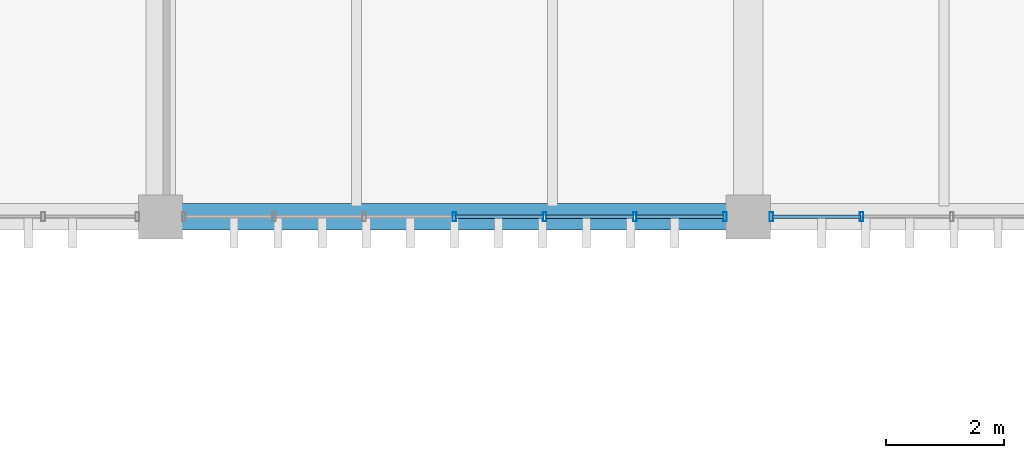
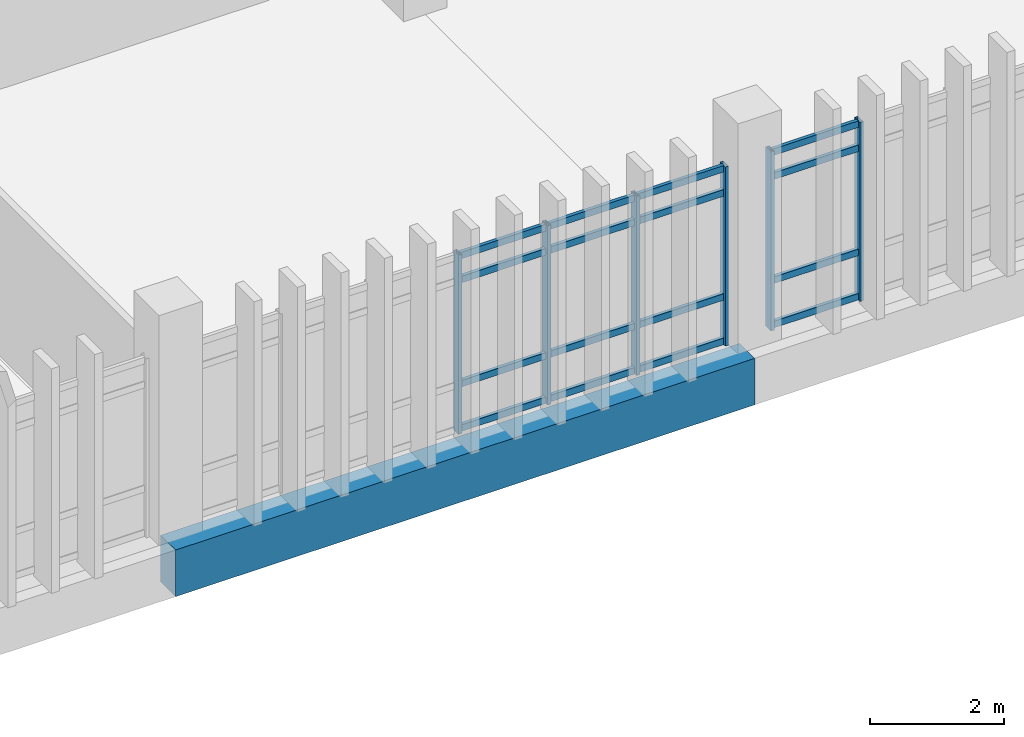
# One storey, part 80 of 161: 22 members, 1 beam, 2 elements without a shape of their own.
"""IFC4 building model written with IfcOpenShell, lengths in metres."""

from ifc_helpers import new_model, si_unit, direction, frame, origin, origin_2d, place, context, subcontext, project, spatial, rectangle, hollow_rectangle, extrude, material, layer, layer_set, material_profile, profile_set, type_object, element, aggregate, save


model = new_model("IFC4")

# Units and contexts
model_context = context("Model", 3, precision=1e-05, world=origin(), true_north=direction((0.0, 1.0)))
body_context = subcontext(model_context, "Body", "Model", "MODEL_VIEW")
ifc_project = project(units=[si_unit("LENGTHUNIT", "METRE"), si_unit("AREAUNIT", "SQUARE_METRE"), si_unit("VOLUMEUNIT", "CUBIC_METRE"), si_unit("PLANEANGLEUNIT", "RADIAN"), si_unit("MASSUNIT", "GRAM", prefix="KILO")], contexts=[model_context])

# Site, building, storey
site_placement = place(None, origin())
site = spatial("IfcSite", under=ifc_project, at=site_placement, CompositionType="ELEMENT")
building_placement = place(site_placement, origin())
building = spatial("IfcBuilding", under=site, at=building_placement, Name="Mersad Railyard Sports Hall", CompositionType="ELEMENT")
storey_placement = place(building_placement, frame((0.0, 0.0, 4.800048828125)))
storey = spatial("IfcBuildingStorey", under=building, at=storey_placement, Name="L01", CompositionType="ELEMENT", Elevation=4.800048828125)

# Curtain wall, members
ifc_material_1 = material(Name="Aluminium 6063-T6", Category="aluminium")
ifc_layer = layer(ifc_material_1, 0.159912109375)
ifc_layer_set = layer_set([ifc_layer], Name="Aluminium 6063-T6")
curtain_wall_type = type_object("IfcCurtainWallType", Name="ARC-CW-CW38", PredefinedType="USERDEFINED", material=ifc_layer_set)
curtain_wall_1_placement = place(storey_placement, origin())
curtain_wall_1 = element("IfcCurtainWall", 1, at=curtain_wall_1_placement, inside=storey, type_object=curtain_wall_type, Name="Curtain wall CW38-0108", ObjectType="CURTAIN WALL", PredefinedType="USERDEFINED")
ifc_material_profile_1 = material_profile(ifc_material_1, hollow_rectangle(XDim=0.06005859375, YDim=0.159912109375, WallThickness=0.00390625, at=origin_2d()), Name="AL MULLION 60x160x4")
ifc_profile_set_1 = profile_set([ifc_material_profile_1], Name="Aluminium 6063-T6")
member_type_1 = type_object("IfcMemberType", Name="ARC-CW-MUL01", PredefinedType="MULLION", material=ifc_profile_set_1)
member_1_placement = place(storey_placement, frame((100.60498046875, 85.0, -0.02001953125), z_axis=(0.0, 0.0, 1.0), x_axis=(1.0, 0.0, 0.0)))
member_1 = element("IfcMember", 2, at=member_1_placement, type_object=member_type_1, Name="CW38 Mullion 1", PredefinedType="MULLION", context=body_context, shape_type="SweptSolid", body=[
    extrude(hollow_rectangle(XDim=0.06005859375, YDim=0.159912109375, WallThickness=0.00390625, at=origin_2d()), origin(), (0.0, 0.0, 1.0), 3.27001953125),
])
member_2_placement = place(storey_placement, frame((99.070068359375, 85.0, -0.02001953125), z_axis=(0.0, 0.0, 1.0), x_axis=(1.0, 0.0, 0.0)))
member_2 = element("IfcMember", 3, at=member_2_placement, type_object=member_type_1, Name="CW38 Mullion 2", PredefinedType="MULLION", context=body_context, shape_type="SweptSolid", body=[
    extrude(hollow_rectangle(XDim=0.06005859375, YDim=0.159912109375, WallThickness=0.00390625, at=origin_2d()), origin(), (0.0, 0.0, 1.0), 3.27001953125),
])
member_3_placement = place(storey_placement, frame((97.534912109375, 85.0, -0.02001953125), z_axis=(0.0, 0.0, 1.0), x_axis=(1.0, 0.0, 0.0)))
member_3 = element("IfcMember", 4, at=member_3_placement, type_object=member_type_1, Name="CW38 Mullion 3", PredefinedType="MULLION", context=body_context, shape_type="SweptSolid", body=[
    extrude(hollow_rectangle(XDim=0.06005859375, YDim=0.159912109375, WallThickness=0.00390625, at=origin_2d()), origin(), (0.0, 0.0, 1.0), 3.27001953125),
])
member_4_placement = place(storey_placement, frame((96.0, 85.0, -0.02001953125), z_axis=(0.0, 0.0, 1.0), x_axis=(1.0, 0.0, 0.0)))
member_4 = element("IfcMember", 5, at=member_4_placement, type_object=member_type_1, Name="CW38 Mullion 4", PredefinedType="MULLION", context=body_context, shape_type="SweptSolid", body=[
    extrude(hollow_rectangle(XDim=0.06005859375, YDim=0.159912109375, WallThickness=0.00390625, at=origin_2d()), origin(), (0.0, 0.0, 1.0), 3.27001953125),
])

curtain_wall_2_placement = place(storey_placement, origin())
curtain_wall_2 = element("IfcCurtainWall", 6, at=curtain_wall_2_placement, inside=storey, type_object=curtain_wall_type, Name="Curtain wall CW38-0109", ObjectType="CURTAIN WALL", PredefinedType="USERDEFINED")
member_5_placement = place(storey_placement, frame((102.929931640625, 85.0, -0.02001953125), z_axis=(0.0, 0.0, 1.0), x_axis=(1.0, 0.0, 0.0)))
member_5 = element("IfcMember", 7, at=member_5_placement, type_object=member_type_1, Name="CW38 Mullion 6", PredefinedType="MULLION", context=body_context, shape_type="SweptSolid", body=[
    extrude(hollow_rectangle(XDim=0.06005859375, YDim=0.159912109375, WallThickness=0.00390625, at=origin_2d()), origin(), (0.0, 0.0, 1.0), 3.27001953125),
])
member_6_placement = place(storey_placement, frame((101.39501953125, 85.0, -0.02001953125), z_axis=(0.0, 0.0, 1.0), x_axis=(1.0, 0.0, 0.0)))
member_6 = element("IfcMember", 8, at=member_6_placement, type_object=member_type_1, Name="CW38 Mullion 7", PredefinedType="MULLION", context=body_context, shape_type="SweptSolid", body=[
    extrude(hollow_rectangle(XDim=0.06005859375, YDim=0.159912109375, WallThickness=0.00390625, at=origin_2d()), origin(), (0.0, 0.0, 1.0), 3.27001953125),
])

# Member
ifc_material_profile_2 = material_profile(ifc_material_1, hollow_rectangle(XDim=0.06005859375, YDim=0.1201171875, WallThickness=0.00390625, at=origin_2d()), Name="AL TRANSOM 60x120x4")
ifc_profile_set_2 = profile_set([ifc_material_profile_2], Name="Aluminium 6063-T6")
member_type_2 = type_object("IfcMemberType", Name="ARC-CW-TRN01", PredefinedType="USERDEFINED", material=ifc_profile_set_2)
member_7_placement = place(storey_placement, frame((100.5849609375, 85.0, 0.0400390625), z_axis=(-1.0, 0.0, 0.0), x_axis=(0.0, -1.0, 0.0)))
member_7 = element("IfcMember", 9, at=member_7_placement, type_object=member_type_2, Name="CW38 Transom 1-1", ObjectType="TRANSOM", PredefinedType="USERDEFINED", context=body_context, shape_type="SweptSolid", body=[
    extrude(hollow_rectangle(XDim=0.06005859375, YDim=0.1201171875, WallThickness=0.00390625, at=origin_2d()), origin(), (0.0, 0.0, 1.0), 1.494873046875),
])

member_8_placement = place(storey_placement, frame((99.050048828125, 85.0, 0.0400390625), z_axis=(-1.0, 0.0, 0.0), x_axis=(0.0, -1.0, 0.0)))
member_8 = element("IfcMember", 10, at=member_8_placement, type_object=member_type_2, Name="CW38 Transom 1-2", ObjectType="TRANSOM", PredefinedType="USERDEFINED", context=body_context, shape_type="SweptSolid", body=[
    extrude(hollow_rectangle(XDim=0.06005859375, YDim=0.1201171875, WallThickness=0.00390625, at=origin_2d()), origin(), (0.0, 0.0, 1.0), 1.4951171875),
])

member_9_placement = place(storey_placement, frame((97.514892578125, 85.0, 0.0400390625), z_axis=(-1.0, 0.0, 0.0), x_axis=(0.0, -1.0, 0.0)))
member_9 = element("IfcMember", 11, at=member_9_placement, type_object=member_type_2, Name="CW38 Transom 1-3", ObjectType="TRANSOM", PredefinedType="USERDEFINED", context=body_context, shape_type="SweptSolid", body=[
    extrude(hollow_rectangle(XDim=0.06005859375, YDim=0.1201171875, WallThickness=0.00390625, at=origin_2d()), origin(), (0.0, 0.0, 1.0), 1.494873046875),
])

member_10_placement = place(storey_placement, frame((100.5849609375, 85.0, 0.849853515625), z_axis=(-1.0, 0.0, 0.0), x_axis=(0.0, -1.0, 0.0)))
member_10 = element("IfcMember", 12, at=member_10_placement, type_object=member_type_2, Name="CW38 Transom 2-1", ObjectType="TRANSOM", PredefinedType="USERDEFINED", context=body_context, shape_type="SweptSolid", body=[
    extrude(hollow_rectangle(XDim=0.06005859375, YDim=0.1201171875, WallThickness=0.00390625, at=origin_2d()), origin(), (0.0, 0.0, 1.0), 1.494873046875),
])

member_11_placement = place(storey_placement, frame((99.050048828125, 85.0, 0.849853515625), z_axis=(-1.0, 0.0, 0.0), x_axis=(0.0, -1.0, 0.0)))
member_11 = element("IfcMember", 13, at=member_11_placement, type_object=member_type_2, Name="CW38 Transom 2-2", ObjectType="TRANSOM", PredefinedType="USERDEFINED", context=body_context, shape_type="SweptSolid", body=[
    extrude(hollow_rectangle(XDim=0.06005859375, YDim=0.1201171875, WallThickness=0.00390625, at=origin_2d()), origin(), (0.0, 0.0, 1.0), 1.4951171875),
])

member_12_placement = place(storey_placement, frame((97.514892578125, 85.0, 0.849853515625), z_axis=(-1.0, 0.0, 0.0), x_axis=(0.0, -1.0, 0.0)))
member_12 = element("IfcMember", 14, at=member_12_placement, type_object=member_type_2, Name="CW38 Transom 2-3", ObjectType="TRANSOM", PredefinedType="USERDEFINED", context=body_context, shape_type="SweptSolid", body=[
    extrude(hollow_rectangle(XDim=0.06005859375, YDim=0.1201171875, WallThickness=0.00390625, at=origin_2d()), origin(), (0.0, 0.0, 1.0), 1.494873046875),
])

member_13_placement = place(storey_placement, frame((100.5849609375, 85.0, 2.75), z_axis=(-1.0, 0.0, 0.0), x_axis=(0.0, -1.0, 0.0)))
member_13 = element("IfcMember", 15, at=member_13_placement, type_object=member_type_2, Name="CW38 Transom 3-1", ObjectType="TRANSOM", PredefinedType="USERDEFINED", context=body_context, shape_type="SweptSolid", body=[
    extrude(hollow_rectangle(XDim=0.06005859375, YDim=0.1201171875, WallThickness=0.00390625, at=origin_2d()), origin(), (0.0, 0.0, 1.0), 1.494873046875),
])

member_14_placement = place(storey_placement, frame((99.050048828125, 85.0, 2.75), z_axis=(-1.0, 0.0, 0.0), x_axis=(0.0, -1.0, 0.0)))
member_14 = element("IfcMember", 16, at=member_14_placement, type_object=member_type_2, Name="CW38 Transom 3-2", ObjectType="TRANSOM", PredefinedType="USERDEFINED", context=body_context, shape_type="SweptSolid", body=[
    extrude(hollow_rectangle(XDim=0.06005859375, YDim=0.1201171875, WallThickness=0.00390625, at=origin_2d()), origin(), (0.0, 0.0, 1.0), 1.4951171875),
])

member_15_placement = place(storey_placement, frame((97.514892578125, 85.0, 2.75), z_axis=(-1.0, 0.0, 0.0), x_axis=(0.0, -1.0, 0.0)))
member_15 = element("IfcMember", 17, at=member_15_placement, type_object=member_type_2, Name="CW38 Transom 3-3", ObjectType="TRANSOM", PredefinedType="USERDEFINED", context=body_context, shape_type="SweptSolid", body=[
    extrude(hollow_rectangle(XDim=0.06005859375, YDim=0.1201171875, WallThickness=0.00390625, at=origin_2d()), origin(), (0.0, 0.0, 1.0), 1.494873046875),
])

member_16_placement = place(storey_placement, frame((100.5849609375, 85.0, 3.18994140625), z_axis=(-1.0, 0.0, 0.0), x_axis=(0.0, -1.0, 0.0)))
member_16 = element("IfcMember", 18, at=member_16_placement, type_object=member_type_2, Name="CW38 Transom 4-1", ObjectType="TRANSOM", PredefinedType="USERDEFINED", context=body_context, shape_type="SweptSolid", body=[
    extrude(hollow_rectangle(XDim=0.06005859375, YDim=0.1201171875, WallThickness=0.00390625, at=origin_2d()), origin(), (0.0, 0.0, 1.0), 1.494873046875),
])

member_17_placement = place(storey_placement, frame((99.050048828125, 85.0, 3.18994140625), z_axis=(-1.0, 0.0, 0.0), x_axis=(0.0, -1.0, 0.0)))
member_17 = element("IfcMember", 19, at=member_17_placement, type_object=member_type_2, Name="CW38 Transom 4-2", ObjectType="TRANSOM", PredefinedType="USERDEFINED", context=body_context, shape_type="SweptSolid", body=[
    extrude(hollow_rectangle(XDim=0.06005859375, YDim=0.1201171875, WallThickness=0.00390625, at=origin_2d()), origin(), (0.0, 0.0, 1.0), 1.4951171875),
])

member_18_placement = place(storey_placement, frame((97.514892578125, 85.0, 3.18994140625), z_axis=(-1.0, 0.0, 0.0), x_axis=(0.0, -1.0, 0.0)))
member_18 = element("IfcMember", 20, at=member_18_placement, type_object=member_type_2, Name="CW38 Transom 4-3", ObjectType="TRANSOM", PredefinedType="USERDEFINED", context=body_context, shape_type="SweptSolid", body=[
    extrude(hollow_rectangle(XDim=0.06005859375, YDim=0.1201171875, WallThickness=0.00390625, at=origin_2d()), origin(), (0.0, 0.0, 1.0), 1.494873046875),
])

aggregate(curtain_wall_1, [member_1, member_2, member_3, member_4, member_7, member_8, member_9, member_10, member_11, member_12, member_13, member_14, member_15, member_16, member_17, member_18])

member_19_placement = place(storey_placement, frame((102.909912109375, 85.0, 0.0400390625), z_axis=(-1.0, 0.0, 0.0), x_axis=(0.0, -1.0, 0.0)))
member_19 = element("IfcMember", 21, at=member_19_placement, type_object=member_type_2, Name="CW38 Transom 1-6", ObjectType="TRANSOM", PredefinedType="USERDEFINED", context=body_context, shape_type="SweptSolid", body=[
    extrude(hollow_rectangle(XDim=0.06005859375, YDim=0.1201171875, WallThickness=0.00390625, at=origin_2d()), origin(), (0.0, 0.0, 1.0), 1.494873046875),
])

member_20_placement = place(storey_placement, frame((102.909912109375, 85.0, 0.849853515625), z_axis=(-1.0, 0.0, 0.0), x_axis=(0.0, -1.0, 0.0)))
member_20 = element("IfcMember", 22, at=member_20_placement, type_object=member_type_2, Name="CW38 Transom 2-6", ObjectType="TRANSOM", PredefinedType="USERDEFINED", context=body_context, shape_type="SweptSolid", body=[
    extrude(hollow_rectangle(XDim=0.06005859375, YDim=0.1201171875, WallThickness=0.00390625, at=origin_2d()), origin(), (0.0, 0.0, 1.0), 1.494873046875),
])

member_21_placement = place(storey_placement, frame((102.909912109375, 85.0, 2.75), z_axis=(-1.0, 0.0, 0.0), x_axis=(0.0, -1.0, 0.0)))
member_21 = element("IfcMember", 23, at=member_21_placement, type_object=member_type_2, Name="CW38 Transom 3-6", ObjectType="TRANSOM", PredefinedType="USERDEFINED", context=body_context, shape_type="SweptSolid", body=[
    extrude(hollow_rectangle(XDim=0.06005859375, YDim=0.1201171875, WallThickness=0.00390625, at=origin_2d()), origin(), (0.0, 0.0, 1.0), 1.494873046875),
])

member_22_placement = place(storey_placement, frame((102.909912109375, 85.0, 3.18994140625), z_axis=(-1.0, 0.0, 0.0), x_axis=(0.0, -1.0, 0.0)))
member_22 = element("IfcMember", 24, at=member_22_placement, type_object=member_type_2, Name="CW38 Transom 4-6", ObjectType="TRANSOM", PredefinedType="USERDEFINED", context=body_context, shape_type="SweptSolid", body=[
    extrude(hollow_rectangle(XDim=0.06005859375, YDim=0.1201171875, WallThickness=0.00390625, at=origin_2d()), origin(), (0.0, 0.0, 1.0), 1.494873046875),
])

aggregate(curtain_wall_2, [member_5, member_6, member_19, member_20, member_21, member_22])

# Beam
ifc_material_2 = material(Name="Concrete C40/50", Category="concrete")
ifc_material_profile_3 = material_profile(ifc_material_2, rectangle(XDim=0.449951171875, YDim=0.85009765625, at=origin_2d()), Name="RC 450x850")
ifc_profile_set_3 = profile_set([ifc_material_profile_3], Name="Concrete C40/50")
beam_type = type_object("IfcBeamType", Name="STR-BM-B02", PredefinedType="BEAM", material=ifc_profile_set_3)
beam_placement = place(storey_placement, frame((91.0, 85.0, -0.72509765625), z_axis=(1.0, 0.0, 0.0), x_axis=(0.0, 1.0, 0.0)))
element("IfcBeam", 25, at=beam_placement, inside=storey, type_object=beam_type, Name="Beam B02-0928", PredefinedType="BEAM", context=body_context, shape_type="SweptSolid", body=[
    extrude(rectangle(XDim=0.449951171875, YDim=0.85009765625, at=origin_2d()), origin(), (0.0, 0.0, 1.0), 10.0),
])

save(model, "model.ifc")
